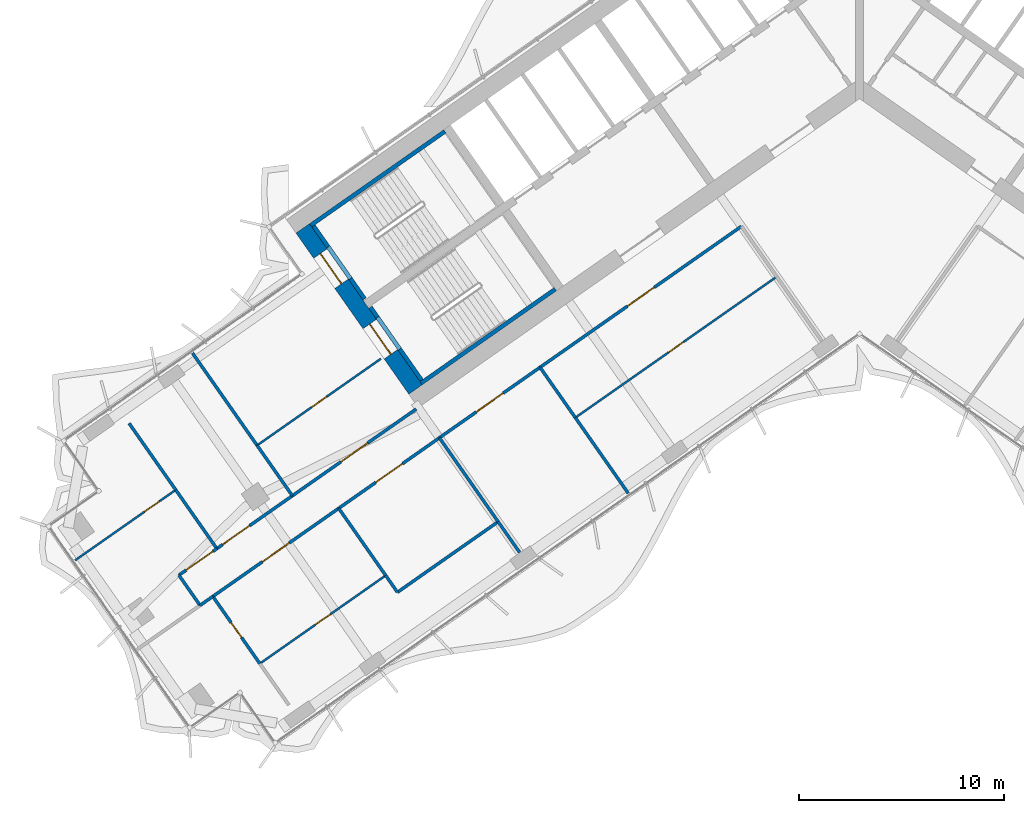
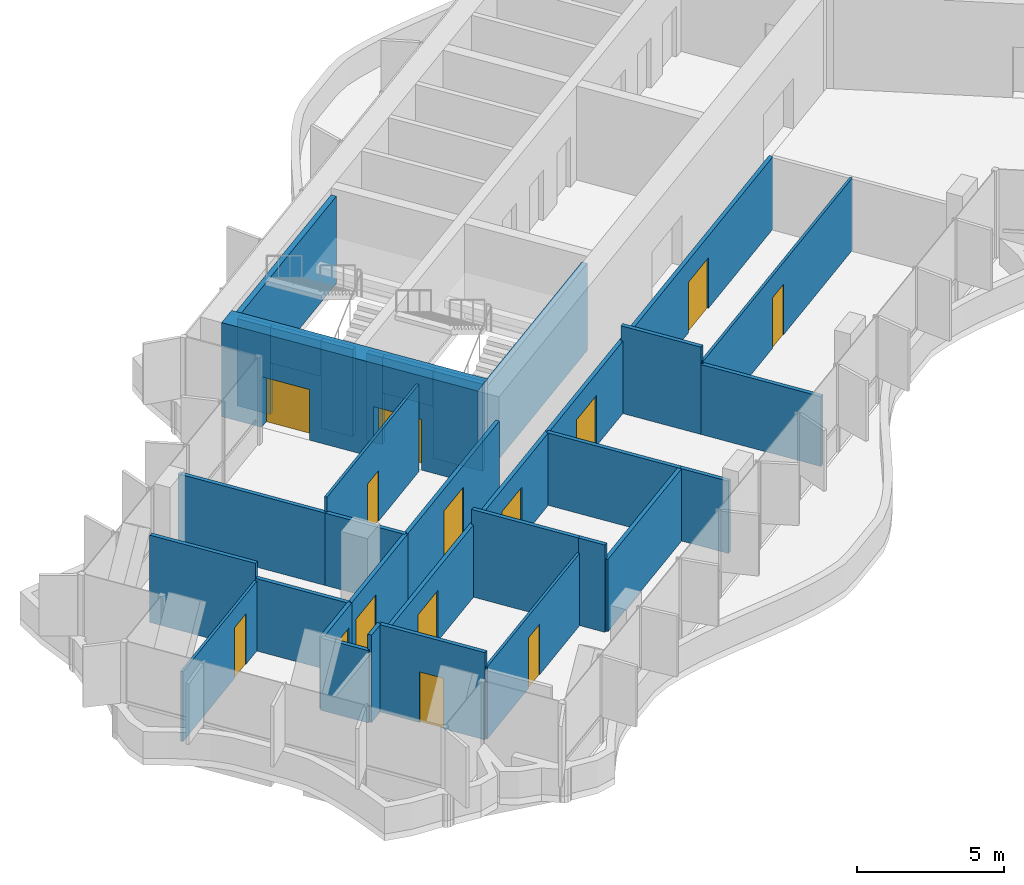
# One storey, part 12 of 21: 34 walls, 14 doors, 14 openings.
"""IFC4 building model written with IfcOpenShell, lengths in metres."""

from ifc_helpers import new_model, si_unit, direction, frame, frame_2d, origin, place, context, subcontext, project, spatial, polyline, rectangle, outline, extrude, material, layer, layer_set, type_object, element, fill, save


model = new_model("IFC4")

# Units and contexts
model_context = context("Model", 3, precision=1e-05, world=origin(), true_north=direction((0.0, 1.0)))
body_context = subcontext(model_context, "Body", "Model", "MODEL_VIEW")
ifc_project = project(units=[si_unit("LENGTHUNIT", "METRE"), si_unit("AREAUNIT", "SQUARE_METRE"), si_unit("VOLUMEUNIT", "CUBIC_METRE"), si_unit("PLANEANGLEUNIT", "RADIAN"), si_unit("MASSUNIT", "GRAM", prefix="KILO")], contexts=[model_context])

# Site, building, storey
site_placement = place(None, origin())
site = spatial("IfcSite", under=ifc_project, at=site_placement, CompositionType="ELEMENT")
building_placement = place(site_placement, origin())
building = spatial("IfcBuilding", under=site, at=building_placement, Name="Tel Ilan Convention Tower", CompositionType="ELEMENT")
storey_placement = place(building_placement, frame((0.0, 0.0, 163.199951171875)))
storey = spatial("IfcBuildingStorey", under=building, at=storey_placement, Name="L37", CompositionType="ELEMENT", Elevation=163.199951171875)

# Wall, openings, doors
ifc_material_1 = material(Name="Concrete C50/60", Category="concrete")
ifc_layer_1 = layer(ifc_material_1, 0.800048828125)
ifc_layer_set_1 = layer_set([ifc_layer_1], Name="Core Shear Wall 800 mm C50/60")
wall_type_1 = type_object("IfcWallType", Name="Core Shear Wall 800 mm C50/60", PredefinedType="SHEAR", material=ifc_layer_set_1)
wall_1_placement = place(storey_placement, frame((-21.6748046875, -15.4208984375, 0.0), z_axis=(0.0, 0.0, 1.0), x_axis=(-0.573581815061, 0.819148278049, 0.0)))
wall_1 = element("IfcWall", 1, at=wall_1_placement, inside=storey, type_object=wall_type_1, Name="L37 core wall W-end", PredefinedType="SHEAR", context=body_context, shape_type="SweptSolid", body=[
    extrude(outline(polyline([(0.0, 0.39990234375), (0.0, -0.39990234375), (9.599853515625, -0.400146484375), (9.599853515625, 0.39990234375), (0.0, 0.39990234375)])), origin(), (0.0, 0.0, 1.0), 3.900146484375),
])
opening_1_placement = place(wall_1_placement, frame((6.300048828125, 0.0, 0.0)))
opening_1 = element("IfcOpeningElement", 2, at=opening_1_placement, cuts=wall_1, Name="Opening SD2901", PredefinedType="OPENING", context=body_context, shape_type="SweptSolid", body=[
    extrude(rectangle(XDim=1.800048828125, YDim=2.10009765625, at=frame_2d((0.89990234375, 1.050048828125))), frame((0.0, 0.409912109375, 0.0), z_axis=(0.0, -1.0, 0.0), x_axis=(1.0, 0.0, 0.0)), (0.0, 0.0, 1.0), 0.820068359375),
])
opening_2_placement = place(wall_1_placement, frame((2.10009765625, 0.0, 0.0)))
opening_2 = element("IfcOpeningElement", 3, at=opening_2_placement, cuts=wall_1, Name="Opening SD2902", PredefinedType="OPENING", context=body_context, shape_type="SweptSolid", body=[
    extrude(rectangle(XDim=1.800048828125, YDim=2.10009765625, at=frame_2d((0.89990234375, 1.050048828125))), frame((0.0, 0.409912109375, 0.0), z_axis=(0.0, -1.0, 0.0), x_axis=(1.0, 0.0, 0.0)), (0.0, 0.0, 1.0), 0.820068359375),
])
ifc_material_2 = material(Name="Galvanised Steel Door Leaf", Category="steel")
door_type_1 = type_object("IfcDoorType", Name="Stair Fire Door 1800 x 2100 FD60S", OperationType="NOTDEFINED", PredefinedType="DOOR", material=ifc_material_2)
door_1_placement = place(opening_1_placement, origin())
door_1 = element("IfcDoor", 4, at=door_1_placement, inside=storey, type_object=door_type_1, Name="Stair S1 door", OperationType="DOUBLE_DOOR_SINGLE_SWING", OverallHeight=2.10009765625, OverallWidth=1.800048828125, PredefinedType="DOOR", context=body_context, shape_type="SweptSolid", body=[
    extrude(rectangle(XDim=1.800048828125, YDim=2.10009765625, at=frame_2d((0.89990234375, 1.050048828125))), frame((0.0, 0.02490234375, 0.0), z_axis=(0.0, -1.0, 0.0), x_axis=(1.0, 0.0, 0.0)), (0.0, 0.0, 1.0), 0.050048828125),
])
fill(opening_1, door_1)
door_2_placement = place(opening_2_placement, origin())
door_2 = element("IfcDoor", 5, at=door_2_placement, inside=storey, type_object=door_type_1, Name="Stair S2 door", OperationType="DOUBLE_DOOR_SINGLE_SWING", OverallHeight=2.10009765625, OverallWidth=1.800048828125, PredefinedType="DOOR", context=body_context, shape_type="SweptSolid", body=[
    extrude(rectangle(XDim=1.800048828125, YDim=2.10009765625, at=frame_2d((0.89990234375, 1.050048828125))), frame((0.0, 0.02490234375, 0.0), z_axis=(0.0, -1.0, 0.0), x_axis=(1.0, 0.0, 0.0)), (0.0, 0.0, 1.0), 0.050048828125),
])
fill(opening_2, door_2)

# Wall, opening, door
ifc_material_3 = material(Name="Plasterboard on Steel Studs", Category="steel")
ifc_layer_2 = layer(ifc_material_3, 0.14990234375)
ifc_layer_set_2 = layer_set([ifc_layer_2], Name="Fire-rated Partition 150 EI 60")
wall_type_2 = type_object("IfcWallType", Name="Fire-rated Partition 150 EI 60", PredefinedType="PARTITIONING", material=ifc_layer_set_2)
wall_2_placement = place(storey_placement, frame((-27.688720703125, -20.608642578125, 0.0), z_axis=(0.0, 0.0, 1.0), x_axis=(0.819148008851, 0.573582199511, 0.0)))
wall_2 = element("IfcWall", 6, at=wall_2_placement, inside=storey, type_object=wall_type_2, Name="Partition 010", PredefinedType="PARTITIONING", context=body_context, shape_type="SweptSolid", body=[
    extrude(rectangle(XDim=7.3818359375, YDim=0.14990234375, at=frame_2d((3.69091796875, 0.0))), origin(), (0.0, 0.0, 1.0), 3.0),
])
opening_3_placement = place(wall_2_placement, frame((2.89111328125, 0.0, 0.0)))
opening_3 = element("IfcOpeningElement", 7, at=opening_3_placement, cuts=wall_2, Name="Opening L37-007", PredefinedType="OPENING", context=body_context, shape_type="SweptSolid", body=[
    extrude(rectangle(XDim=1.60009765625, YDim=2.10009765625, at=frame_2d((0.800048828125, 1.050048828125))), frame((0.0, 0.0849609375, 0.0), z_axis=(0.0, -1.0, 0.0), x_axis=(1.0, 0.0, 0.0)), (0.0, 0.0, 1.0), 0.169921875),
])
ifc_material_4 = material(Name="Timber Door Leaf in Steel Frame", Category="steel")
door_type_2 = type_object("IfcDoorType", Name="Tenant Suite Entrance Fire Door 1600x2100", OperationType="NOTDEFINED", PredefinedType="DOOR", material=ifc_material_4)
door_3_placement = place(opening_3_placement, origin())
door_3 = element("IfcDoor", 8, at=door_3_placement, inside=storey, type_object=door_type_2, Name="Door L37-007", OperationType="DOUBLE_DOOR_SINGLE_SWING", OverallHeight=2.10009765625, OverallWidth=1.60009765625, PredefinedType="DOOR", context=body_context, shape_type="SweptSolid", body=[
    extrude(rectangle(XDim=1.60009765625, YDim=2.10009765625, at=frame_2d((0.800048828125, 1.050048828125))), frame((0.0, 0.02490234375, 0.0), z_axis=(0.0, -1.0, 0.0), x_axis=(1.0, 0.0, 0.0)), (0.0, 0.0, 1.0), 0.050048828125),
])
fill(opening_3, door_3)

wall_3_placement = place(storey_placement, frame((-31.375, -23.189697265625, 0.0), z_axis=(0.0, 0.0, 1.0), x_axis=(0.819165703328, 0.573556928727, 0.0)))
wall_3 = element("IfcWall", 9, at=wall_3_placement, inside=storey, type_object=wall_type_2, Name="Partition 011", PredefinedType="PARTITIONING", context=body_context, shape_type="SweptSolid", body=[
    extrude(rectangle(XDim=4.50390625, YDim=0.14990234375, at=frame_2d((2.251953125, 0.0))), origin(), (0.0, 0.0, 1.0), 3.0),
])
opening_4_placement = place(wall_3_placement, frame((0.35205078125, 0.0, 0.0)))
opening_4 = element("IfcOpeningElement", 10, at=opening_4_placement, cuts=wall_3, Name="Opening L37-009", PredefinedType="OPENING", context=body_context, shape_type="SweptSolid", body=[
    extrude(rectangle(XDim=1.60009765625, YDim=2.10009765625, at=frame_2d((0.800048828125, 1.050048828125))), frame((0.0, 0.0849609375, 0.0), z_axis=(0.0, -1.0, 0.0), x_axis=(1.0, 0.0, 0.0)), (0.0, 0.0, 1.0), 0.169921875),
])
door_4_placement = place(opening_4_placement, origin())
door_4 = element("IfcDoor", 11, at=door_4_placement, inside=storey, type_object=door_type_2, Name="Door L37-009", OperationType="DOUBLE_DOOR_SINGLE_SWING", OverallHeight=2.10009765625, OverallWidth=1.60009765625, PredefinedType="DOOR", context=body_context, shape_type="SweptSolid", body=[
    extrude(rectangle(XDim=1.60009765625, YDim=2.10009765625, at=frame_2d((0.800048828125, 1.050048828125))), frame((0.0, 0.02490234375, 0.0), z_axis=(0.0, -1.0, 0.0), x_axis=(1.0, 0.0, 0.0)), (0.0, 0.0, 1.0), 0.050048828125),
])
fill(opening_4, door_4)

# Wall
wall_4_placement = place(storey_placement, frame((-32.19384765625, -25.960693359375, 0.0), z_axis=(0.0, 0.0, 1.0), x_axis=(-0.573553363558, 0.819168199548, 0.0)))
element("IfcWall", 12, at=wall_4_placement, inside=storey, type_object=wall_type_2, Name="Partition 012", PredefinedType="PARTITIONING", context=body_context, shape_type="SweptSolid", body=[
    extrude(rectangle(XDim=1.800048828125, YDim=0.14990234375, at=frame_2d((0.89990234375, 0.0))), origin(), (0.0, 0.0, 1.0), 3.0),
])

# Wall, opening, door
wall_5_placement = place(storey_placement, frame((-33.226318359375, -24.486083984375, 0.0), z_axis=(0.0, 0.0, 1.0), x_axis=(0.819176192989, 0.573541946888, 0.0)))
wall_5 = element("IfcWall", 13, at=wall_5_placement, inside=storey, type_object=wall_type_2, Name="Partition 013", PredefinedType="PARTITIONING", context=body_context, shape_type="SweptSolid", body=[
    extrude(rectangle(XDim=2.26416015625, YDim=0.14990234375, at=frame_2d((1.132080078125, 0.0))), origin(), (0.0, 0.0, 1.0), 3.0),
])
opening_5_placement = place(wall_5_placement, frame((0.431884765625, 0.0, 0.0)))
opening_5 = element("IfcOpeningElement", 14, at=opening_5_placement, cuts=wall_5, Name="Opening L37-010", PredefinedType="OPENING", context=body_context, shape_type="SweptSolid", body=[
    extrude(rectangle(XDim=1.60009765625, YDim=2.10009765625, at=frame_2d((0.800048828125, 1.050048828125))), frame((0.0, 0.0849609375, 0.0), z_axis=(0.0, -1.0, 0.0), x_axis=(1.0, 0.0, 0.0)), (0.0, 0.0, 1.0), 0.169921875),
])
door_5_placement = place(opening_5_placement, origin())
door_5 = element("IfcDoor", 15, at=door_5_placement, inside=storey, type_object=door_type_2, Name="Door L37-010", OperationType="DOUBLE_DOOR_SINGLE_SWING", OverallHeight=2.10009765625, OverallWidth=1.60009765625, PredefinedType="DOOR", context=body_context, shape_type="SweptSolid", body=[
    extrude(rectangle(XDim=1.60009765625, YDim=2.10009765625, at=frame_2d((0.800048828125, 1.050048828125))), frame((0.0, 0.02490234375, 0.0), z_axis=(0.0, -1.0, 0.0), x_axis=(1.0, 0.0, 0.0)), (0.0, 0.0, 1.0), 0.050048828125),
])
fill(opening_5, door_5)

wall_6_placement = place(storey_placement, frame((-5.766357421875, -7.455810546875, 0.0), z_axis=(0.0, 0.0, 1.0), x_axis=(-0.81915546166, -0.573571555809, 0.0)))
wall_6 = element("IfcWall", 16, at=wall_6_placement, inside=storey, type_object=wall_type_2, Name="Partition 014", PredefinedType="PARTITIONING", context=body_context, shape_type="SweptSolid", body=[
    extrude(rectangle(XDim=12.001953125, YDim=0.14990234375, at=frame_2d((6.0009765625, 0.0))), origin(), (0.0, 0.0, 1.0), 3.0),
])
opening_6_placement = place(wall_6_placement, frame((5.200927734375, 0.0, 0.0)))
opening_6 = element("IfcOpeningElement", 17, at=opening_6_placement, cuts=wall_6, Name="Opening L37-001", PredefinedType="OPENING", context=body_context, shape_type="SweptSolid", body=[
    extrude(rectangle(XDim=1.60009765625, YDim=2.10009765625, at=frame_2d((0.800048828125, 1.050048828125))), frame((0.0, 0.0849609375, 0.0), z_axis=(0.0, -1.0, 0.0), x_axis=(1.0, 0.0, 0.0)), (0.0, 0.0, 1.0), 0.169921875),
])
door_6_placement = place(opening_6_placement, origin())
door_6 = element("IfcDoor", 18, at=door_6_placement, inside=storey, type_object=door_type_2, Name="Door L37-001", OperationType="DOUBLE_DOOR_SINGLE_SWING", OverallHeight=2.10009765625, OverallWidth=1.60009765625, PredefinedType="DOOR", context=body_context, shape_type="SweptSolid", body=[
    extrude(rectangle(XDim=1.60009765625, YDim=2.10009765625, at=frame_2d((0.800048828125, 1.050048828125))), frame((0.0, 0.02490234375, 0.0), z_axis=(0.0, -1.0, 0.0), x_axis=(1.0, 0.0, 0.0)), (0.0, 0.0, 1.0), 0.050048828125),
])
fill(opening_6, door_6)

wall_7_placement = place(storey_placement, frame((-15.594482421875, -14.337646484375, 0.0), z_axis=(0.0, 0.0, 1.0), x_axis=(-0.819165052243, -0.573557858619, 0.0)))
wall_7 = element("IfcWall", 19, at=wall_7_placement, inside=storey, type_object=wall_type_2, Name="Partition 015", PredefinedType="PARTITIONING", context=body_context, shape_type="SweptSolid", body=[
    extrude(rectangle(XDim=6.00390625, YDim=0.14990234375, at=frame_2d((3.001953125, 0.0))), origin(), (0.0, 0.0, 1.0), 3.0),
])
opening_7_placement = place(wall_7_placement, frame((2.201904296875, 0.0, 0.0)))
opening_7 = element("IfcOpeningElement", 20, at=opening_7_placement, cuts=wall_7, Name="Opening L37-003", PredefinedType="OPENING", context=body_context, shape_type="SweptSolid", body=[
    extrude(rectangle(XDim=1.60009765625, YDim=2.10009765625, at=frame_2d((0.800048828125, 1.050048828125))), frame((0.0, 0.0849609375, 0.0), z_axis=(0.0, -1.0, 0.0), x_axis=(1.0, 0.0, 0.0)), (0.0, 0.0, 1.0), 0.169921875),
])
door_7_placement = place(opening_7_placement, origin())
door_7 = element("IfcDoor", 21, at=door_7_placement, inside=storey, type_object=door_type_2, Name="Door L37-003", OperationType="DOUBLE_DOOR_SINGLE_SWING", OverallHeight=2.10009765625, OverallWidth=1.60009765625, PredefinedType="DOOR", context=body_context, shape_type="SweptSolid", body=[
    extrude(rectangle(XDim=1.60009765625, YDim=2.10009765625, at=frame_2d((0.800048828125, 1.050048828125))), frame((0.0, 0.02490234375, 0.0), z_axis=(0.0, -1.0, 0.0), x_axis=(1.0, 0.0, 0.0)), (0.0, 0.0, 1.0), 0.050048828125),
])
fill(opening_7, door_7)

wall_8_placement = place(storey_placement, frame((-20.509521484375, -17.779052734375, 0.0), z_axis=(0.0, 0.0, 1.0), x_axis=(-0.819132568355, -0.573604249862, 0.0)))
wall_8 = element("IfcWall", 22, at=wall_8_placement, inside=storey, type_object=wall_type_2, Name="Partition 016", PredefinedType="PARTITIONING", context=body_context, shape_type="SweptSolid", body=[
    extrude(rectangle(XDim=6.00390625, YDim=0.14990234375, at=frame_2d((3.001953125, 0.0))), origin(), (0.0, 0.0, 1.0), 3.0),
])
opening_8_placement = place(wall_8_placement, frame((2.201904296875, 0.0, 0.0)))
opening_8 = element("IfcOpeningElement", 23, at=opening_8_placement, cuts=wall_8, Name="Opening L37-004", PredefinedType="OPENING", context=body_context, shape_type="SweptSolid", body=[
    extrude(rectangle(XDim=1.60009765625, YDim=2.10009765625, at=frame_2d((0.800048828125, 1.050048828125))), frame((0.0, 0.0849609375, 0.0), z_axis=(0.0, -1.0, 0.0), x_axis=(1.0, 0.0, 0.0)), (0.0, 0.0, 1.0), 0.169921875),
])
door_8_placement = place(opening_8_placement, origin())
door_8 = element("IfcDoor", 24, at=door_8_placement, inside=storey, type_object=door_type_2, Name="Door L37-004", OperationType="DOUBLE_DOOR_SINGLE_SWING", OverallHeight=2.10009765625, OverallWidth=1.60009765625, PredefinedType="DOOR", context=body_context, shape_type="SweptSolid", body=[
    extrude(rectangle(XDim=1.60009765625, YDim=2.10009765625, at=frame_2d((0.800048828125, 1.050048828125))), frame((0.0, 0.02490234375, 0.0), z_axis=(0.0, -1.0, 0.0), x_axis=(1.0, 0.0, 0.0)), (0.0, 0.0, 1.0), 0.050048828125),
])
fill(opening_8, door_8)

wall_9_placement = place(storey_placement, frame((-25.42431640625, -21.220458984375, 0.0), z_axis=(0.0, 0.0, 1.0), x_axis=(-0.819149375276, -0.573580248078, 0.0)))
wall_9 = element("IfcWall", 25, at=wall_9_placement, inside=storey, type_object=wall_type_2, Name="Partition 017", PredefinedType="PARTITIONING", context=body_context, shape_type="SweptSolid", body=[
    extrude(rectangle(XDim=7.504150390625, YDim=0.14990234375, at=frame_2d((3.751953125, 0.0))), origin(), (0.0, 0.0, 1.0), 3.0),
])
opening_9_placement = place(wall_9_placement, frame((2.951904296875, 0.0, 0.0)))
opening_9 = element("IfcOpeningElement", 26, at=opening_9_placement, cuts=wall_9, Name="Opening L37-005", PredefinedType="OPENING", context=body_context, shape_type="SweptSolid", body=[
    extrude(rectangle(XDim=1.60009765625, YDim=2.10009765625, at=frame_2d((0.800048828125, 1.050048828125))), frame((0.0, 0.0849609375, 0.0), z_axis=(0.0, -1.0, 0.0), x_axis=(1.0, 0.0, 0.0)), (0.0, 0.0, 1.0), 0.169921875),
])
door_9_placement = place(opening_9_placement, origin())
door_9 = element("IfcDoor", 27, at=door_9_placement, inside=storey, type_object=door_type_2, Name="Door L37-005", OperationType="DOUBLE_DOOR_SINGLE_SWING", OverallHeight=2.10009765625, OverallWidth=1.60009765625, PredefinedType="DOOR", context=body_context, shape_type="SweptSolid", body=[
    extrude(rectangle(XDim=1.60009765625, YDim=2.10009765625, at=frame_2d((0.800048828125, 1.050048828125))), frame((0.0, 0.02490234375, 0.0), z_axis=(0.0, -1.0, 0.0), x_axis=(1.0, 0.0, 0.0)), (0.0, 0.0, 1.0), 0.050048828125),
])
fill(opening_9, door_9)

# Walls
wall_10_placement = place(storey_placement, frame((-31.568115234375, -25.522216796875, 0.0), z_axis=(0.0, 0.0, 1.0), x_axis=(-0.818946604201, -0.573869723428, 0.0)))
element("IfcWall", 28, at=wall_10_placement, inside=storey, type_object=wall_type_2, Name="Partition 018", PredefinedType="PARTITIONING", context=body_context, shape_type="SweptSolid", body=[
    extrude(rectangle(XDim=0.76416015625, YDim=0.14990234375, at=frame_2d((0.382080078125, 0.0))), origin(), (0.0, 0.0, 1.0), 3.6201171875),
])
wall_11_placement = place(storey_placement, frame((-29.408447265625, -18.1494140625, 0.0), z_axis=(0.0, 0.0, 1.0), x_axis=(-0.573560668443, 0.819163084871, 0.0)))
element("IfcWall", 29, at=wall_11_placement, inside=storey, type_object=wall_type_2, Name="Partition 034", PredefinedType="PARTITIONING", context=body_context, shape_type="SweptSolid", body=[
    extrude(rectangle(XDim=5.4990234375, YDim=0.14990234375, at=frame_2d((2.74951171875, 0.0))), origin(), (0.0, 0.0, 1.0), 3.0),
])
wall_12_placement = place(storey_placement, frame((-27.687255859375, -20.607421875, 0.0), z_axis=(0.0, 0.0, 1.0), x_axis=(-0.573598887793, 0.819136323161, 0.0)))
element("IfcWall", 30, at=wall_12_placement, inside=storey, type_object=wall_type_2, Name="Partition 035", PredefinedType="PARTITIONING", context=body_context, shape_type="SweptSolid", body=[
    extrude(rectangle(XDim=2.999755859375, YDim=0.14990234375, at=frame_2d((1.5, 0.0))), origin(), (0.0, 0.0, 1.0), 3.0),
])
wall_13_placement = place(storey_placement, frame((-33.38037109375, -20.322509765625, 0.0), z_axis=(0.0, 0.0, 1.0), x_axis=(-0.573569716318, 0.819156749665, 0.0)))
element("IfcWall", 31, at=wall_13_placement, inside=storey, type_object=wall_type_2, Name="Partition 036", PredefinedType="PARTITIONING", context=body_context, shape_type="SweptSolid", body=[
    extrude(rectangle(XDim=3.967529296875, YDim=0.14990234375, at=frame_2d((1.98388671875, 0.0))), origin(), (0.0, 0.0, 1.0), 3.6201171875),
])
wall_14_placement = place(storey_placement, frame((-31.373291015625, -23.188720703125, 0.0), z_axis=(0.0, 0.0, 1.0), x_axis=(-0.573602698703, 0.819133654565, 0.0)))
element("IfcWall", 32, at=wall_14_placement, inside=storey, type_object=wall_type_2, Name="Partition 037", PredefinedType="PARTITIONING", context=body_context, shape_type="SweptSolid", body=[
    extrude(rectangle(XDim=3.501953125, YDim=0.14990234375, at=frame_2d((1.7509765625, 0.0))), origin(), (0.0, 0.0, 1.0), 3.0),
])
wall_15_placement = place(storey_placement, frame((-11.29443359375, -20.482421875, 0.0), z_axis=(0.0, 0.0, 1.0), x_axis=(-0.573589807488, 0.819142681555, 0.0)))
element("IfcWall", 33, at=wall_15_placement, inside=storey, type_object=wall_type_2, Name="Partition 041", PredefinedType="PARTITIONING", context=body_context, shape_type="SweptSolid", body=[
    extrude(rectangle(XDim=4.4990234375, YDim=0.14990234375, at=frame_2d((2.24951171875, 0.0))), origin(), (0.0, 0.0, 1.0), 2.900146484375),
])
wall_16_placement = place(storey_placement, frame((-13.87548828125, -16.796142578125, 0.0), z_axis=(0.0, 0.0, 1.0), x_axis=(-0.573560650686, 0.819163097304, 0.0)))
element("IfcWall", 34, at=wall_16_placement, inside=storey, type_object=wall_type_2, Name="Partition 042", PredefinedType="PARTITIONING", context=body_context, shape_type="SweptSolid", body=[
    extrude(rectangle(XDim=3.0, YDim=0.14990234375, at=frame_2d((1.5, 0.0))), origin(), (0.0, 0.0, 1.0), 3.6201171875),
])
wall_17_placement = place(storey_placement, frame((-17.64208984375, -21.877685546875, 0.0), z_axis=(0.0, 0.0, 1.0), x_axis=(-0.573557338351, 0.819165416521, 0.0)))
element("IfcWall", 35, at=wall_17_placement, inside=storey, type_object=wall_type_2, Name="Partition 043", PredefinedType="PARTITIONING", context=body_context, shape_type="SweptSolid", body=[
    extrude(rectangle(XDim=5.001953125, YDim=0.14990234375, at=frame_2d((2.5009765625, 0.0))), origin(), (0.0, 0.0, 1.0), 3.0),
])
wall_18_placement = place(storey_placement, frame((-16.593505859375, -23.375, 0.0), z_axis=(0.0, 0.0, 1.0), x_axis=(-0.573569716318, 0.819156749665, 0.0)))
element("IfcWall", 36, at=wall_18_placement, inside=storey, type_object=wall_type_2, Name="Partition 044", PredefinedType="PARTITIONING", context=body_context, shape_type="SweptSolid", body=[
    extrude(rectangle(XDim=1.8310546875, YDim=0.14990234375, at=frame_2d((0.91552734375, 0.0))), origin(), (0.0, 0.0, 1.0), 3.0),
])
wall_19_placement = place(storey_placement, frame((-17.643310546875, -21.8759765625, 0.0), z_axis=(0.0, 0.0, 1.0), x_axis=(-0.819149710902, -0.573579768758, 0.0)))
element("IfcWall", 37, at=wall_19_placement, inside=storey, type_object=wall_type_2, Name="Partition 045", PredefinedType="PARTITIONING", context=body_context, shape_type="SweptSolid", body=[
    extrude(rectangle(XDim=5.999755859375, YDim=0.14990234375, at=frame_2d((3.0, 0.0))), origin(), (0.0, 0.0, 1.0), 3.0),
])
wall_20_placement = place(storey_placement, frame((-22.55810546875, -25.3173828125, 0.0), z_axis=(0.0, 0.0, 1.0), x_axis=(-0.573576907489, 0.819151714394, 0.0)))
element("IfcWall", 38, at=wall_20_placement, inside=storey, type_object=wall_type_2, Name="Partition 046", PredefinedType="PARTITIONING", context=body_context, shape_type="SweptSolid", body=[
    extrude(rectangle(XDim=1.001220703125, YDim=0.14990234375, at=frame_2d((0.50048828125, 0.0))), origin(), (0.0, 0.0, 1.0), 3.6201171875),
])
wall_21_placement = place(storey_placement, frame((-23.130615234375, -24.5, 0.0), z_axis=(0.0, 0.0, 1.0), x_axis=(-0.573560601885, 0.819163131473, 0.0)))
element("IfcWall", 39, at=wall_21_placement, inside=storey, type_object=wall_type_2, Name="Partition 047", PredefinedType="PARTITIONING", context=body_context, shape_type="SweptSolid", body=[
    extrude(rectangle(XDim=4.001953125, YDim=0.14990234375, at=frame_2d((2.0009765625, 0.0))), origin(), (0.0, 0.0, 1.0), 3.6201171875),
])

# Wall, opening, door
wall_22_placement = place(storey_placement, frame((-29.275390625, -28.800048828125, 0.0), z_axis=(0.0, 0.0, 1.0), x_axis=(-0.573556557423, 0.819165963305, 0.0)))
wall_22 = element("IfcWall", 40, at=wall_22_placement, inside=storey, type_object=wall_type_2, Name="Partition 050", PredefinedType="PARTITIONING", context=body_context, shape_type="SweptSolid", body=[
    extrude(rectangle(XDim=4.0, YDim=0.14990234375, at=frame_2d((2.0, 0.0))), origin(), (0.0, 0.0, 1.0), 3.6201171875),
])
opening_10_placement = place(wall_22_placement, frame((1.550048828125, 0.0, 0.0)))
opening_10 = element("IfcOpeningElement", 41, at=opening_10_placement, cuts=wall_22, Name="Opening L37-022", PredefinedType="OPENING", context=body_context, shape_type="SweptSolid", body=[
    extrude(rectangle(XDim=0.89990234375, YDim=2.10009765625, at=frame_2d((0.449951171875, 1.050048828125))), frame((0.0, 0.0849609375, 0.0), z_axis=(0.0, -1.0, 0.0), x_axis=(1.0, 0.0, 0.0)), (0.0, 0.0, 1.0), 0.169921875),
])
ifc_material_5 = material(Name="Timber Door Leaf in Steel Frame", Category="steel")
door_type_3 = type_object("IfcDoorType", Name="Room Fire Door 900x2100", OperationType="NOTDEFINED", PredefinedType="DOOR", material=ifc_material_5)
door_10_placement = place(opening_10_placement, origin())
door_10 = element("IfcDoor", 42, at=door_10_placement, inside=storey, type_object=door_type_3, Name="Door L37-022", OperationType="SINGLE_SWING_RIGHT", OverallHeight=2.10009765625, OverallWidth=0.89990234375, PredefinedType="DOOR", context=body_context, shape_type="SweptSolid", body=[
    extrude(rectangle(XDim=0.89990234375, YDim=2.10009765625, at=frame_2d((0.449951171875, 1.050048828125))), frame((0.0, 0.02490234375, 0.0), z_axis=(0.0, -1.0, 0.0), x_axis=(1.0, 0.0, 0.0)), (0.0, 0.0, 1.0), 0.050048828125),
])
fill(opening_10, door_10)

ifc_material_6 = material(Name="Plasterboard on Steel Studs", Category="steel")
ifc_layer_3 = layer(ifc_material_6, 0.10009765625)
ifc_layer_set_3 = layer_set([ifc_layer_3], Name="Plasterboard Partition 100")
wall_type_3 = type_object("IfcWallType", Name="Plasterboard Partition 100", PredefinedType="PARTITIONING", material=ifc_layer_set_3)
wall_23_placement = place(storey_placement, frame((-29.408447265625, -18.1494140625, 0.0), z_axis=(0.0, 0.0, 1.0), x_axis=(0.819144879919, 0.573586667996, 0.0)))
wall_23 = element("IfcWall", 43, at=wall_23_placement, inside=storey, type_object=wall_type_3, Name="Partition 033", PredefinedType="PARTITIONING", context=body_context, shape_type="SweptSolid", body=[
    extrude(rectangle(XDim=7.380126953125, YDim=0.10009765625, at=frame_2d((3.68994140625, 0.0))), origin(), (0.0, 0.0, 1.0), 3.6201171875),
])
opening_11_placement = place(wall_23_placement, frame((3.239990234375, 0.0, 0.0)))
opening_11 = element("IfcOpeningElement", 44, at=opening_11_placement, cuts=wall_23, Name="Opening L37-008", PredefinedType="OPENING", context=body_context, shape_type="SweptSolid", body=[
    extrude(rectangle(XDim=0.89990234375, YDim=2.10009765625, at=frame_2d((0.449951171875, 1.050048828125))), frame((0.0, 0.06005859375, 0.0), z_axis=(0.0, -1.0, 0.0), x_axis=(1.0, 0.0, 0.0)), (0.0, 0.0, 1.0), 0.1201171875),
])
ifc_material_7 = material(Name="Timber Door Leaf in Steel Frame", Category="steel")
door_type_4 = type_object("IfcDoorType", Name="Room Timber Door 900x2100", OperationType="NOTDEFINED", PredefinedType="DOOR", material=ifc_material_7)
door_11_placement = place(opening_11_placement, origin())
door_11 = element("IfcDoor", 45, at=door_11_placement, inside=storey, type_object=door_type_4, Name="Door L37-008", OperationType="SINGLE_SWING_LEFT", OverallHeight=2.10009765625, OverallWidth=0.89990234375, PredefinedType="DOOR", context=body_context, shape_type="SweptSolid", body=[
    extrude(rectangle(XDim=0.89990234375, YDim=2.10009765625, at=frame_2d((0.449951171875, 1.050048828125))), frame((0.0, 0.02490234375, 0.0), z_axis=(0.0, -1.0, 0.0), x_axis=(1.0, 0.0, 0.0)), (0.0, 0.0, 1.0), 0.050048828125),
])
fill(opening_11, door_11)

wall_24_placement = place(storey_placement, frame((-38.29638671875, -23.76220703125, 0.0), z_axis=(0.0, 0.0, 1.0), x_axis=(0.819163097304, 0.573560650686, 0.0)))
wall_24 = element("IfcWall", 46, at=wall_24_placement, inside=storey, type_object=wall_type_3, Name="Partition 038", PredefinedType="PARTITIONING", context=body_context, shape_type="SweptSolid", body=[
    extrude(rectangle(XDim=6.0, YDim=0.10009765625, at=frame_2d((3.0, 0.0))), origin(), (0.0, 0.0, 1.0), 2.900146484375),
])
opening_12_placement = place(wall_24_placement, frame((4.14990234375, 0.0, 0.0)))
opening_12 = element("IfcOpeningElement", 47, at=opening_12_placement, cuts=wall_24, Name="Opening L37-011", PredefinedType="OPENING", context=body_context, shape_type="SweptSolid", body=[
    extrude(rectangle(XDim=0.89990234375, YDim=2.10009765625, at=frame_2d((0.449951171875, 1.050048828125))), frame((0.0, 0.06005859375, 0.0), z_axis=(0.0, -1.0, 0.0), x_axis=(1.0, 0.0, 0.0)), (0.0, 0.0, 1.0), 0.1201171875),
])
door_12_placement = place(opening_12_placement, origin())
door_12 = element("IfcDoor", 48, at=door_12_placement, inside=storey, type_object=door_type_4, Name="Door L37-011", OperationType="SINGLE_SWING_LEFT", OverallHeight=2.10009765625, OverallWidth=0.89990234375, PredefinedType="DOOR", context=body_context, shape_type="SweptSolid", body=[
    extrude(rectangle(XDim=0.89990234375, YDim=2.10009765625, at=frame_2d((0.449951171875, 1.050048828125))), frame((0.0, 0.02490234375, 0.0), z_axis=(0.0, -1.0, 0.0), x_axis=(1.0, 0.0, 0.0)), (0.0, 0.0, 1.0), 0.050048828125),
])
fill(opening_12, door_12)

wall_25_placement = place(storey_placement, frame((-4.045166015625, -9.9140625, 0.0), z_axis=(0.0, 0.0, 1.0), x_axis=(-0.819146845232, -0.573583861302, 0.0)))
wall_25 = element("IfcWall", 49, at=wall_25_placement, inside=storey, type_object=wall_type_3, Name="Partition 040", PredefinedType="PARTITIONING", context=body_context, shape_type="SweptSolid", body=[
    extrude(rectangle(XDim=12.0, YDim=0.10009765625, at=frame_2d((6.0, 0.0))), origin(), (0.0, 0.0, 1.0), 3.0),
])
opening_13_placement = place(wall_25_placement, frame((5.550048828125, 0.0, 0.0)))
opening_13 = element("IfcOpeningElement", 50, at=opening_13_placement, cuts=wall_25, Name="Opening L37-002", PredefinedType="OPENING", context=body_context, shape_type="SweptSolid", body=[
    extrude(rectangle(XDim=0.89990234375, YDim=2.10009765625, at=frame_2d((0.449951171875, 1.050048828125))), frame((0.0, 0.06005859375, 0.0), z_axis=(0.0, -1.0, 0.0), x_axis=(1.0, 0.0, 0.0)), (0.0, 0.0, 1.0), 0.1201171875),
])
door_13_placement = place(opening_13_placement, origin())
door_13 = element("IfcDoor", 51, at=door_13_placement, inside=storey, type_object=door_type_4, Name="Door L37-002", OperationType="SINGLE_SWING_RIGHT", OverallHeight=2.10009765625, OverallWidth=0.89990234375, PredefinedType="DOOR", context=body_context, shape_type="SweptSolid", body=[
    extrude(rectangle(XDim=0.89990234375, YDim=2.10009765625, at=frame_2d((0.449951171875, 1.050048828125))), frame((0.0, 0.02490234375, 0.0), z_axis=(0.0, -1.0, 0.0), x_axis=(1.0, 0.0, 0.0)), (0.0, 0.0, 1.0), 0.050048828125),
])
fill(opening_13, door_13)

wall_26_placement = place(storey_placement, frame((-23.131103515625, -24.4990234375, 0.0), z_axis=(0.0, 0.0, 1.0), x_axis=(-0.819163097304, -0.573560650686, 0.0)))
wall_26 = element("IfcWall", 52, at=wall_26_placement, inside=storey, type_object=wall_type_3, Name="Partition 048", PredefinedType="PARTITIONING", context=body_context, shape_type="SweptSolid", body=[
    extrude(rectangle(XDim=7.5, YDim=0.10009765625, at=frame_2d((3.75, 0.0))), origin(), (0.0, 0.0, 1.0), 3.0),
])
opening_14_placement = place(wall_26_placement, frame((3.300048828125, 0.0, 0.0)))
opening_14 = element("IfcOpeningElement", 53, at=opening_14_placement, cuts=wall_26, Name="Opening L37-006", PredefinedType="OPENING", context=body_context, shape_type="SweptSolid", body=[
    extrude(rectangle(XDim=0.89990234375, YDim=2.10009765625, at=frame_2d((0.449951171875, 1.050048828125))), frame((0.0, 0.06005859375, 0.0), z_axis=(0.0, -1.0, 0.0), x_axis=(1.0, 0.0, 0.0)), (0.0, 0.0, 1.0), 0.1201171875),
])
door_14_placement = place(opening_14_placement, origin())
door_14 = element("IfcDoor", 54, at=door_14_placement, inside=storey, type_object=door_type_4, Name="Door L37-006", OperationType="SINGLE_SWING_RIGHT", OverallHeight=2.10009765625, OverallWidth=0.89990234375, PredefinedType="DOOR", context=body_context, shape_type="SweptSolid", body=[
    extrude(rectangle(XDim=0.89990234375, YDim=2.10009765625, at=frame_2d((0.449951171875, 1.050048828125))), frame((0.0, 0.02490234375, 0.0), z_axis=(0.0, -1.0, 0.0), x_axis=(1.0, 0.0, 0.0)), (0.0, 0.0, 1.0), 0.050048828125),
])
fill(opening_14, door_14)

# Walls
ifc_material_8 = material(Name="Concrete C30/37", Category="concrete")
ifc_layer_4 = layer(ifc_material_8, 0.199951171875)
ifc_layer_set_4 = layer_set([ifc_layer_4], Name="Stair and Shaft Lining Wall 200 mm C30/37")
wall_type_4 = type_object("IfcWallType", Name="Stair and Shaft Lining Wall 200 mm C30/37", PredefinedType="SOLIDWALL", material=ifc_layer_set_4)
wall_27_placement = place(storey_placement, frame((-20.242919921875, -2.821044921875, 0.0), z_axis=(0.0, 0.0, 1.0), x_axis=(-0.819141584393, -0.57359137434, 0.0)))
element("IfcWall", 55, at=wall_27_placement, inside=storey, type_object=wall_type_4, Name="L37 core wall lining-S1-t1", PredefinedType="SOLIDWALL", context=body_context, shape_type="SweptSolid", body=[
    extrude(rectangle(XDim=7.999755859375, YDim=0.199951171875, at=frame_2d((4.0, 0.0))), origin(), (0.0, 0.0, 1.0), 3.6201171875),
])
wall_28_placement = place(storey_placement, frame((-24.16162109375, -10.99755859375, 0.0), z_axis=(0.0, 0.0, 1.0), x_axis=(-0.573612502218, 0.819126789514, 0.0)))
element("IfcWall", 56, at=wall_28_placement, inside=storey, type_object=wall_type_4, Name="L37 core wall lining-S1-u1-0", PredefinedType="SOLIDWALL", context=body_context, shape_type="SweptSolid", body=[
    extrude(rectangle(XDim=1.2001953125, YDim=0.199951171875, at=frame_2d((0.60009765625, 0.0))), origin(), (0.0, 0.0, 1.0), 3.6201171875),
])
wall_29_placement = place(storey_placement, frame((-25.939697265625, -8.4580078125, 0.0), z_axis=(0.0, 0.0, 1.0), x_axis=(-0.573619628835, 0.819121798889, 0.0)))
element("IfcWall", 57, at=wall_29_placement, inside=storey, type_object=wall_type_4, Name="L37 core wall lining-S1-u1-1", PredefinedType="SOLIDWALL", context=body_context, shape_type="SweptSolid", body=[
    extrude(rectangle(XDim=1.25, YDim=0.199951171875, at=frame_2d((0.625, 0.0))), origin(), (0.0, 0.0, 1.0), 3.6201171875),
])
wall_30_placement = place(storey_placement, frame((-24.85009765625, -10.014404296875, 2.150146484375), z_axis=(0.0, 0.0, 1.0), x_axis=(-0.573505465124, 0.819201734296, 0.0)))
element("IfcWall", 58, at=wall_30_placement, inside=storey, type_object=wall_type_4, Name="L37 core wall lining-S1-u1-lintel", PredefinedType="SOLIDWALL", context=body_context, shape_type="SweptSolid", body=[
    extrude(rectangle(XDim=1.89990234375, YDim=0.199951171875, at=frame_2d((0.949951171875, 0.0))), origin(), (0.0, 0.0, 1.0), 1.469970703125),
])
wall_31_placement = place(storey_placement, frame((-14.851318359375, -10.52099609375, 0.0), z_axis=(0.0, 0.0, 1.0), x_axis=(-0.819141584393, -0.57359137434, 0.0)))
element("IfcWall", 59, at=wall_31_placement, inside=storey, type_object=wall_type_4, Name="L37 core wall lining-S2-t0", PredefinedType="SOLIDWALL", context=body_context, shape_type="SweptSolid", body=[
    extrude(rectangle(XDim=7.999755859375, YDim=0.199951171875, at=frame_2d((4.0, 0.0))), origin(), (0.0, 0.0, 1.0), 3.6201171875),
])
wall_32_placement = place(storey_placement, frame((-21.3798828125, -14.97021484375, 0.0), z_axis=(0.0, 0.0, 1.0), x_axis=(-0.573559770908, 0.819163713305, 0.0)))
element("IfcWall", 60, at=wall_32_placement, inside=storey, type_object=wall_type_4, Name="L37 core wall lining-S2-u1-0", PredefinedType="SOLIDWALL", context=body_context, shape_type="SweptSolid", body=[
    extrude(rectangle(XDim=1.849853515625, YDim=0.199951171875, at=frame_2d((0.9248046875, 0.0))), origin(), (0.0, 0.0, 1.0), 3.6201171875),
])
wall_33_placement = place(storey_placement, frame((-23.53076171875, -11.8984375, 0.0), z_axis=(0.0, 0.0, 1.0), x_axis=(-0.573708088123, 0.819059844958, 0.0)))
element("IfcWall", 61, at=wall_33_placement, inside=storey, type_object=wall_type_4, Name="L37 core wall lining-S2-u1-1", PredefinedType="SOLIDWALL", context=body_context, shape_type="SweptSolid", body=[
    extrude(rectangle(XDim=0.60009765625, YDim=0.199951171875, at=frame_2d((0.300048828125, 0.0))), origin(), (0.0, 0.0, 1.0), 3.6201171875),
])
wall_34_placement = place(storey_placement, frame((-22.44091796875, -13.454833984375, 2.150146484375), z_axis=(0.0, 0.0, 1.0), x_axis=(-0.573591692345, 0.819141361715, 0.0)))
element("IfcWall", 62, at=wall_34_placement, inside=storey, type_object=wall_type_4, Name="L37 core wall lining-S2-u1-lintel", PredefinedType="SOLIDWALL", context=body_context, shape_type="SweptSolid", body=[
    extrude(rectangle(XDim=1.900146484375, YDim=0.199951171875, at=frame_2d((0.9501953125, 0.0))), origin(), (0.0, 0.0, 1.0), 1.469970703125),
])

save(model, "model.ifc")
